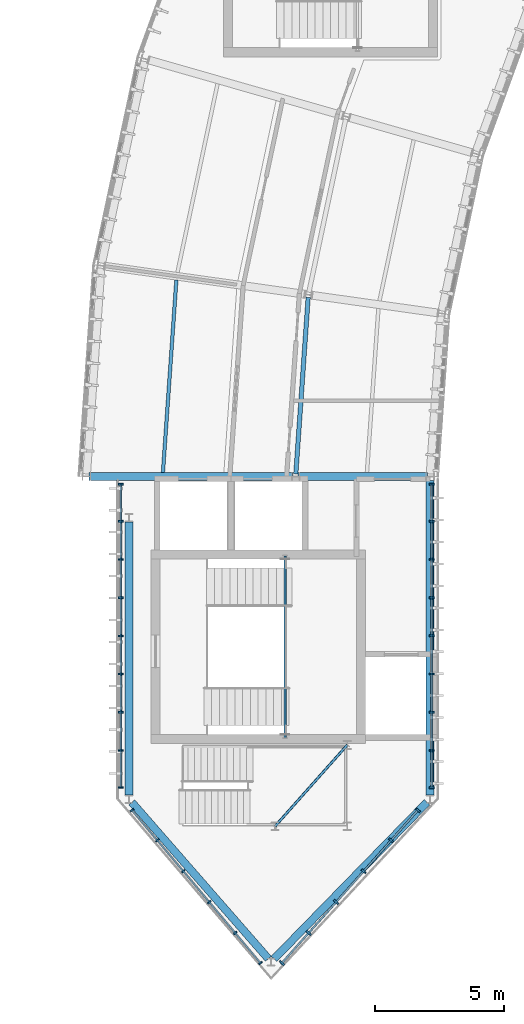
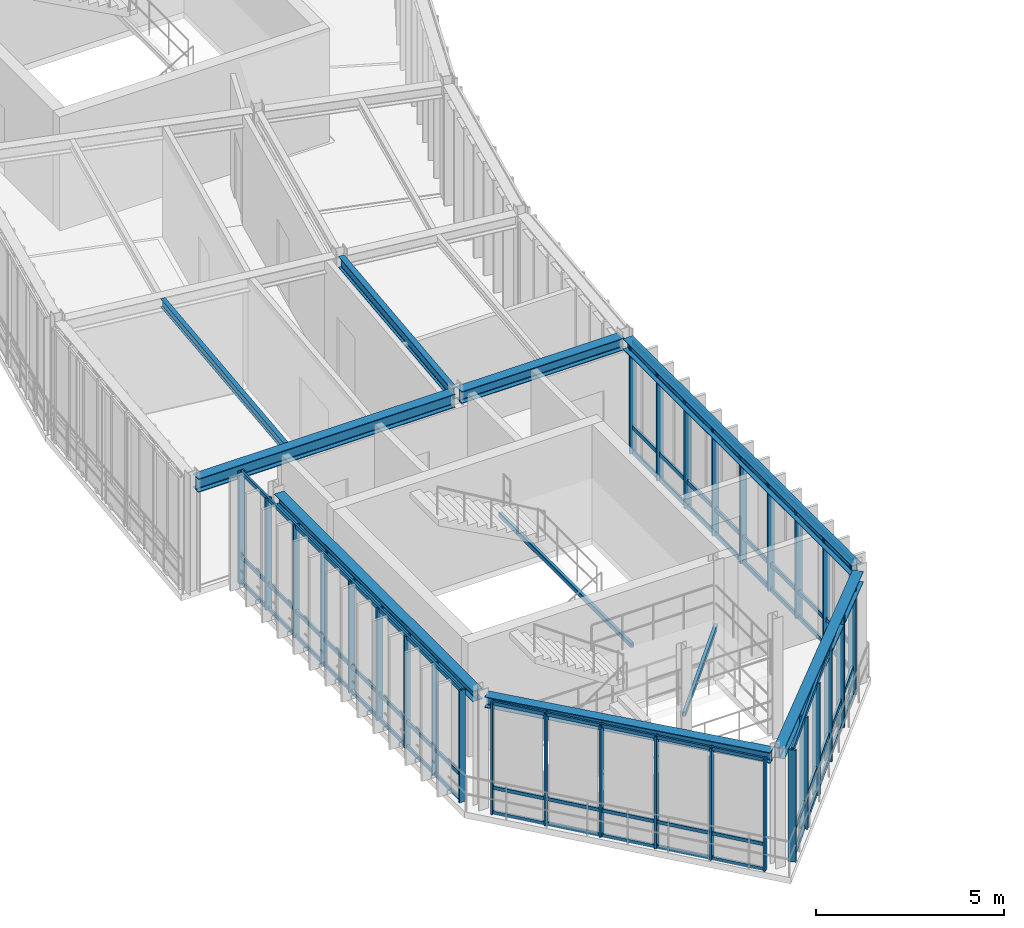
# One storey, part 8 of 42: 44 members, 8 beams, 4 elements without a shape of their own.
"""IFC4 building model written with IfcOpenShell, lengths in metres."""

from ifc_helpers import new_model, si_unit, direction, frame, origin, origin_2d, place, context, subcontext, project, spatial, rectangle, hollow_rectangle, i_section, extrude, material, layer, layer_set, material_profile, profile_set, type_object, element, aggregate, save


model = new_model("IFC4")

# Units and contexts
model_context = context("Model", 3, precision=1e-05, world=origin(), true_north=direction((0.0, 1.0)))
body_context = subcontext(model_context, "Body", "Model", "MODEL_VIEW")
ifc_project = project(units=[si_unit("LENGTHUNIT", "METRE"), si_unit("AREAUNIT", "SQUARE_METRE"), si_unit("VOLUMEUNIT", "CUBIC_METRE"), si_unit("PLANEANGLEUNIT", "RADIAN"), si_unit("MASSUNIT", "GRAM", prefix="KILO"), si_unit("THERMODYNAMICTEMPERATUREUNIT", "KELVIN"), si_unit("POWERUNIT", "WATT")], contexts=[model_context])

# Site, building, storey
site_placement = place(None, origin())
site = spatial("IfcSite", under=ifc_project, at=site_placement, CompositionType="ELEMENT")
building_placement = place(site_placement, origin())
building = spatial("IfcBuilding", under=site, at=building_placement, Name="Solvatero Civic Police Headquarters", CompositionType="ELEMENT")
storey_placement = place(building_placement, frame((0.0, 0.0, 21.60009765625)))
storey = spatial("IfcBuildingStorey", under=building, at=storey_placement, Name="L05", CompositionType="ELEMENT", Elevation=21.60009765625)

# Beams
ifc_material_1 = material(Name="Steel S355", Category="steel")
ifc_material_profile_1 = material_profile(ifc_material_1, i_section(OverallWidth=0.300048828125, OverallDepth=0.35009765625, WebThickness=0.010009765625, FlangeThickness=0.017578125, FilletRadius=0.027099609375, at=origin_2d()), Name="HEA 360")
ifc_profile_set_1 = profile_set([ifc_material_profile_1], Name="Steel S355")
beam_type_1 = type_object("IfcBeamType", Name="BM-ST-HEA360", PredefinedType="SPANDREL", material=ifc_profile_set_1)
beam_1_placement = place(storey_placement, frame((37.0, 24.239990234375, 3.52490234375), z_axis=(0.0, -1.0, 0.0), x_axis=(1.0, 0.0, 0.0)))
element("IfcBeam", 1, at=beam_1_placement, inside=storey, type_object=beam_type_1, Name="Perimeter / radial spandrel beam BM-R2-L05-PROW-W", PredefinedType="SPANDREL", context=body_context, shape_type="SweptSolid", body=[
    extrude(i_section(OverallWidth=0.300048828125, OverallDepth=0.35009765625, WebThickness=0.010009765625, FlangeThickness=0.017578125, FilletRadius=0.027099609375, at=origin_2d()), origin(), (0.0, 0.0, 1.0), 10.580078125),
])
beam_2_placement = place(storey_placement, frame((37.105224609375, 13.37939453125, 3.52490234375), z_axis=(0.657663937616, -0.753311452959, 0.0), x_axis=(0.753311452959, 0.657663937616, 0.0)))
element("IfcBeam", 2, at=beam_2_placement, inside=storey, type_object=beam_type_1, Name="Perimeter / radial spandrel beam BM-R2-L05-PROW-SW", PredefinedType="SPANDREL", context=body_context, shape_type="SweptSolid", body=[
    extrude(i_section(OverallWidth=0.300048828125, OverallDepth=0.35009765625, WebThickness=0.010009765625, FlangeThickness=0.017578125, FilletRadius=0.027099609375, at=origin_2d()), origin(), (0.0, 0.0, 1.0), 8.04296875),
])
beam_3_placement = place(storey_placement, frame((42.61181640625, 7.314453125, 3.52490234375), z_axis=(0.698523042205, 0.715587562433, 0.0), x_axis=(-0.715587562433, 0.698523042205, 0.0)))
element("IfcBeam", 3, at=beam_3_placement, inside=storey, type_object=beam_type_1, Name="Perimeter / radial spandrel beam BM-R2-L05-PROW-SE", PredefinedType="SPANDREL", context=body_context, shape_type="SweptSolid", body=[
    extrude(i_section(OverallWidth=0.300048828125, OverallDepth=0.35009765625, WebThickness=0.010009765625, FlangeThickness=0.017578125, FilletRadius=0.027099609375, at=origin_2d()), origin(), (0.0, 0.0, 1.0), 8.48388671875),
])
beam_4_placement = place(storey_placement, frame((48.64990234375, 13.659912109375, 3.52490234375), z_axis=(0.0, 1.0, 0.0), x_axis=(-1.0, 0.0, 0.0)))
element("IfcBeam", 4, at=beam_4_placement, inside=storey, type_object=beam_type_1, Name="Perimeter / radial spandrel beam BM-R2-L05-PROW-E", PredefinedType="SPANDREL", context=body_context, shape_type="SweptSolid", body=[
    extrude(i_section(OverallWidth=0.300048828125, OverallDepth=0.35009765625, WebThickness=0.010009765625, FlangeThickness=0.017578125, FilletRadius=0.027099609375, at=origin_2d()), origin(), (0.0, 0.0, 1.0), 12.18017578125),
])
ifc_material_profile_2 = material_profile(ifc_material_1, i_section(OverallWidth=0.300048828125, OverallDepth=0.389892578125, WebThickness=0.010986328125, FlangeThickness=0.01904296875, FilletRadius=0.027099609375, at=origin_2d()), Name="HEA 400")
ifc_profile_set_2 = profile_set([ifc_material_profile_2], Name="Steel S355")
beam_type_2 = type_object("IfcBeamType", Name="BM-ST-HEA400", PredefinedType="BEAM", material=ifc_profile_set_2)
beam_5_placement = place(storey_placement, frame((48.550048828125, 26.0, 3.5048828125), z_axis=(-1.0, 0.0, 0.0), x_axis=(0.0, -1.0, 0.0)))
element("IfcBeam", 5, at=beam_5_placement, inside=storey, type_object=beam_type_2, Name="Primary girder BM-R2-L05-ARC-RAD1-S12", PredefinedType="BEAM", context=body_context, shape_type="SweptSolid", body=[
    extrude(i_section(OverallWidth=0.300048828125, OverallDepth=0.389892578125, WebThickness=0.010986328125, FlangeThickness=0.01904296875, FilletRadius=0.027099609375, at=origin_2d()), origin(), (0.0, 0.0, 1.0), 5.0),
])
ifc_material_profile_3 = material_profile(ifc_material_1, i_section(OverallWidth=0.300048828125, OverallDepth=0.43994140625, WebThickness=0.011474609375, FlangeThickness=0.02099609375, FilletRadius=0.027099609375, at=origin_2d()), Name="HEA 450")
ifc_profile_set_3 = profile_set([ifc_material_profile_3], Name="Steel S355")
beam_type_3 = type_object("IfcBeamType", Name="BM-ST-HEA450", PredefinedType="BEAM", material=ifc_profile_set_3)
beam_6_placement = place(storey_placement, frame((43.35009765625, 26.0, 3.47998046875), z_axis=(-1.0, 0.0, 0.0), x_axis=(0.0, -1.0, 0.0)))
element("IfcBeam", 6, at=beam_6_placement, inside=storey, type_object=beam_type_3, Name="Primary girder BM-R2-L05-ARC-RAD2-S12", PredefinedType="BEAM", context=body_context, shape_type="SweptSolid", body=[
    extrude(i_section(OverallWidth=0.300048828125, OverallDepth=0.43994140625, WebThickness=0.011474609375, FlangeThickness=0.02099609375, FilletRadius=0.027099609375, at=origin_2d()), origin(), (0.0, 0.0, 1.0), 7.900146484375),
])
ifc_material_profile_4 = material_profile(ifc_material_1, i_section(OverallWidth=0.135009765625, OverallDepth=0.27001953125, WebThickness=0.006591796875, FlangeThickness=0.01025390625, FilletRadius=0.014892578125, at=origin_2d()), Name="IPE 270")
ifc_profile_set_4 = profile_set([ifc_material_profile_4], Name="Steel S355")
beam_type_4 = type_object("IfcBeamType", Name="BM-ST-IPE270", PredefinedType="BEAM", material=ifc_profile_set_4)
beam_7_placement = place(storey_placement, frame((38.83154296875, 33.602294921875, 3.56494140625), z_axis=(-0.069737421409, -0.997565382346, 0.0), x_axis=(0.997565382346, -0.069737421409, 0.0)))
element("IfcBeam", 7, at=beam_7_placement, inside=storey, type_object=beam_type_4, Name="Composite floor beam BM-R2-L05-ARC-CS2-B12", PredefinedType="BEAM", context=body_context, shape_type="SweptSolid", body=[
    extrude(i_section(OverallWidth=0.135009765625, OverallDepth=0.27001953125, WebThickness=0.006591796875, FlangeThickness=0.01025390625, FilletRadius=0.014892578125, at=origin_2d()), origin(), (0.0, 0.0, 1.0), 7.470947265625),
])
ifc_material_profile_5 = material_profile(ifc_material_1, i_section(OverallWidth=0.169921875, OverallDepth=0.360107421875, WebThickness=0.008056640625, FlangeThickness=0.0126953125, FilletRadius=0.01806640625, at=origin_2d()), Name="IPE 360")
ifc_profile_set_5 = profile_set([ifc_material_profile_5], Name="Steel S355")
beam_type_5 = type_object("IfcBeamType", Name="BM-ST-IPE360", PredefinedType="BEAM", material=ifc_profile_set_5)
beam_8_placement = place(storey_placement, frame((43.934814453125, 32.935302734375, 3.52001953125), z_axis=(-0.069727722696, -0.997566060313, 0.0), x_axis=(0.997566060313, -0.069727722696, 0.0)))
element("IfcBeam", 8, at=beam_8_placement, inside=storey, type_object=beam_type_5, Name="Composite floor beam BM-R2-L05-ARC-CMID-B12", PredefinedType="BEAM", context=body_context, shape_type="SweptSolid", body=[
    extrude(i_section(OverallWidth=0.169921875, OverallDepth=0.360107421875, WebThickness=0.008056640625, FlangeThickness=0.0126953125, FilletRadius=0.01806640625, at=origin_2d()), origin(), (0.0, 0.0, 1.0), 6.85205078125),
])

# Curtain wall, members
ifc_material_2 = material(Name="Anodized Bronze Aluminium", Category="aluminium")
ifc_layer = layer(ifc_material_2, 0.179931640625)
ifc_layer_set = layer_set([ifc_layer], Name="Anodized Bronze Aluminium")
curtain_wall_type = type_object("IfcCurtainWallType", Name="CW-PROW-GLZ", PredefinedType="USERDEFINED", material=ifc_layer_set)
curtain_wall_1_placement = place(storey_placement, origin())
curtain_wall_1 = element("IfcCurtainWall", 9, at=curtain_wall_1_placement, inside=storey, type_object=curtain_wall_type, Name="Curtain Wall CW-R2-L05-PROW-SW", ObjectType="UNITISED", PredefinedType="USERDEFINED")
ifc_material_profile_6 = material_profile(ifc_material_2, rectangle(XDim=0.06005859375, YDim=0.159912109375, at=origin_2d()), Name="ALU MULLION 60x160")
ifc_profile_set_6 = profile_set([ifc_material_profile_6], Name="Anodized Bronze Aluminium")
member_type_1 = type_object("IfcMemberType", Name="CWM-180x70", PredefinedType="MULLION", material=ifc_profile_set_6)
member_1_placement = place(storey_placement, frame((37.1142578125, 13.073486328125, 0.0), z_axis=(0.0, 0.0, 1.0), x_axis=(0.643282165541, -0.765629189293, 0.0)))
member_1 = element("IfcMember", 10, at=member_1_placement, type_object=member_type_1, Name="CW-R2-L05-PROW-SW Mullion 1", PredefinedType="MULLION", context=body_context, shape_type="SweptSolid", body=[
    extrude(rectangle(XDim=0.06005859375, YDim=0.159912109375, at=origin_2d()), origin(), (0.0, 0.0, 1.0), 3.639892578125),
])
member_2_placement = place(storey_placement, frame((38.09326171875, 11.908447265625, 0.0), z_axis=(0.0, 0.0, 1.0), x_axis=(0.643282165541, -0.765629189293, 0.0)))
member_2 = element("IfcMember", 11, at=member_2_placement, type_object=member_type_1, Name="CW-R2-L05-PROW-SW Mullion 2", PredefinedType="MULLION", context=body_context, shape_type="SweptSolid", body=[
    extrude(rectangle(XDim=0.06005859375, YDim=0.159912109375, at=origin_2d()), origin(), (0.0, 0.0, 1.0), 3.639892578125),
])
member_3_placement = place(storey_placement, frame((39.09765625, 10.712890625, 0.0), z_axis=(0.0, 0.0, 1.0), x_axis=(0.643282165541, -0.765629189293, 0.0)))
member_3 = element("IfcMember", 12, at=member_3_placement, type_object=member_type_1, Name="CW-R2-L05-PROW-SW Mullion 3", PredefinedType="MULLION", context=body_context, shape_type="SweptSolid", body=[
    extrude(rectangle(XDim=0.06005859375, YDim=0.159912109375, at=origin_2d()), origin(), (0.0, 0.0, 1.0), 3.639892578125),
])
member_4_placement = place(storey_placement, frame((40.102294921875, 9.51708984375, 0.0), z_axis=(0.0, 0.0, 1.0), x_axis=(0.643282165541, -0.765629189293, 0.0)))
member_4 = element("IfcMember", 13, at=member_4_placement, type_object=member_type_1, Name="CW-R2-L05-PROW-SW Mullion 4", PredefinedType="MULLION", context=body_context, shape_type="SweptSolid", body=[
    extrude(rectangle(XDim=0.06005859375, YDim=0.159912109375, at=origin_2d()), origin(), (0.0, 0.0, 1.0), 3.639892578125),
])
member_5_placement = place(storey_placement, frame((41.10693359375, 8.321533203125, 0.0), z_axis=(0.0, 0.0, 1.0), x_axis=(0.643282165541, -0.765629189293, 0.0)))
member_5 = element("IfcMember", 14, at=member_5_placement, type_object=member_type_1, Name="CW-R2-L05-PROW-SW Mullion 5", PredefinedType="MULLION", context=body_context, shape_type="SweptSolid", body=[
    extrude(rectangle(XDim=0.06005859375, YDim=0.159912109375, at=origin_2d()), origin(), (0.0, 0.0, 1.0), 3.639892578125),
])
member_6_placement = place(storey_placement, frame((42.085693359375, 7.156494140625, 0.0), z_axis=(0.0, 0.0, 1.0), x_axis=(0.643282165541, -0.765629189293, 0.0)))
member_6 = element("IfcMember", 15, at=member_6_placement, type_object=member_type_1, Name="CW-R2-L05-PROW-SW Mullion 6", PredefinedType="MULLION", context=body_context, shape_type="SweptSolid", body=[
    extrude(rectangle(XDim=0.06005859375, YDim=0.159912109375, at=origin_2d()), origin(), (0.0, 0.0, 1.0), 3.639892578125),
])

curtain_wall_2_placement = place(storey_placement, origin())
curtain_wall_2 = element("IfcCurtainWall", 16, at=curtain_wall_2_placement, inside=storey, type_object=curtain_wall_type, Name="Curtain Wall CW-R2-L05-PROW-W", ObjectType="UNITISED", PredefinedType="USERDEFINED")
ifc_material_profile_7 = material_profile(ifc_material_2, rectangle(XDim=0.06494140625, YDim=0.179931640625, at=origin_2d()), Name="ALU MULLION 65x180")
ifc_profile_set_7 = profile_set([ifc_material_profile_7], Name="Anodized Bronze Aluminium")
member_type_2 = type_object("IfcMemberType", Name="CWM-200x75", PredefinedType="MULLION", material=ifc_profile_set_7)
member_7_placement = place(storey_placement, frame((36.679931640625, 25.699951171875, 0.0), z_axis=(0.0, 0.0, 1.0), x_axis=(0.0, -1.0, 0.0)))
member_7 = element("IfcMember", 17, at=member_7_placement, type_object=member_type_2, Name="CW-R2-L05-PROW-W Mullion 1", PredefinedType="MULLION", context=body_context, shape_type="SweptSolid", body=[
    extrude(rectangle(XDim=0.06494140625, YDim=0.179931640625, at=origin_2d()), origin(), (0.0, 0.0, 1.0), 3.639892578125),
])
member_8_placement = place(storey_placement, frame((36.679931640625, 24.26123046875, 0.0), z_axis=(0.0, 0.0, 1.0), x_axis=(0.0, -1.0, 0.0)))
member_8 = element("IfcMember", 18, at=member_8_placement, type_object=member_type_2, Name="CW-R2-L05-PROW-W Mullion 2", PredefinedType="MULLION", context=body_context, shape_type="SweptSolid", body=[
    extrude(rectangle(XDim=0.06494140625, YDim=0.179931640625, at=origin_2d()), origin(), (0.0, 0.0, 1.0), 3.639892578125),
])
member_9_placement = place(storey_placement, frame((36.679931640625, 22.782470703125, 0.0), z_axis=(0.0, 0.0, 1.0), x_axis=(0.0, -1.0, 0.0)))
member_9 = element("IfcMember", 19, at=member_9_placement, type_object=member_type_2, Name="CW-R2-L05-PROW-W Mullion 3", PredefinedType="MULLION", context=body_context, shape_type="SweptSolid", body=[
    extrude(rectangle(XDim=0.06494140625, YDim=0.179931640625, at=origin_2d()), origin(), (0.0, 0.0, 1.0), 3.639892578125),
])
member_10_placement = place(storey_placement, frame((36.679931640625, 21.3037109375, 0.0), z_axis=(0.0, 0.0, 1.0), x_axis=(0.0, -1.0, 0.0)))
member_10 = element("IfcMember", 20, at=member_10_placement, type_object=member_type_2, Name="CW-R2-L05-PROW-W Mullion 4", PredefinedType="MULLION", context=body_context, shape_type="SweptSolid", body=[
    extrude(rectangle(XDim=0.06494140625, YDim=0.179931640625, at=origin_2d()), origin(), (0.0, 0.0, 1.0), 3.639892578125),
])
member_11_placement = place(storey_placement, frame((36.679931640625, 19.824951171875, 0.0), z_axis=(0.0, 0.0, 1.0), x_axis=(0.0, -1.0, 0.0)))
member_11 = element("IfcMember", 21, at=member_11_placement, type_object=member_type_2, Name="CW-R2-L05-PROW-W Mullion 5", PredefinedType="MULLION", context=body_context, shape_type="SweptSolid", body=[
    extrude(rectangle(XDim=0.06494140625, YDim=0.179931640625, at=origin_2d()), origin(), (0.0, 0.0, 1.0), 3.639892578125),
])
member_12_placement = place(storey_placement, frame((36.679931640625, 18.34619140625, 0.0), z_axis=(0.0, 0.0, 1.0), x_axis=(0.0, -1.0, 0.0)))
member_12 = element("IfcMember", 22, at=member_12_placement, type_object=member_type_2, Name="CW-R2-L05-PROW-W Mullion 6", PredefinedType="MULLION", context=body_context, shape_type="SweptSolid", body=[
    extrude(rectangle(XDim=0.06494140625, YDim=0.179931640625, at=origin_2d()), origin(), (0.0, 0.0, 1.0), 3.639892578125),
])
member_13_placement = place(storey_placement, frame((36.679931640625, 16.867431640625, 0.0), z_axis=(0.0, 0.0, 1.0), x_axis=(0.0, -1.0, 0.0)))
member_13 = element("IfcMember", 23, at=member_13_placement, type_object=member_type_2, Name="CW-R2-L05-PROW-W Mullion 7", PredefinedType="MULLION", context=body_context, shape_type="SweptSolid", body=[
    extrude(rectangle(XDim=0.06494140625, YDim=0.179931640625, at=origin_2d()), origin(), (0.0, 0.0, 1.0), 3.639892578125),
])
member_14_placement = place(storey_placement, frame((36.679931640625, 15.388671875, 0.0), z_axis=(0.0, 0.0, 1.0), x_axis=(0.0, -1.0, 0.0)))
member_14 = element("IfcMember", 24, at=member_14_placement, type_object=member_type_2, Name="CW-R2-L05-PROW-W Mullion 8", PredefinedType="MULLION", context=body_context, shape_type="SweptSolid", body=[
    extrude(rectangle(XDim=0.06494140625, YDim=0.179931640625, at=origin_2d()), origin(), (0.0, 0.0, 1.0), 3.639892578125),
])
member_15_placement = place(storey_placement, frame((36.679931640625, 13.949951171875, 0.0), z_axis=(0.0, 0.0, 1.0), x_axis=(0.0, -1.0, 0.0)))
member_15 = element("IfcMember", 25, at=member_15_placement, type_object=member_type_2, Name="CW-R2-L05-PROW-W Mullion 9", PredefinedType="MULLION", context=body_context, shape_type="SweptSolid", body=[
    extrude(rectangle(XDim=0.06494140625, YDim=0.179931640625, at=origin_2d()), origin(), (0.0, 0.0, 1.0), 3.639892578125),
])

curtain_wall_3_placement = place(storey_placement, origin())
curtain_wall_3 = element("IfcCurtainWall", 26, at=curtain_wall_3_placement, inside=storey, type_object=curtain_wall_type, Name="Curtain Wall CW-R2-L05-PROW-E", ObjectType="UNITISED", PredefinedType="USERDEFINED")
ifc_material_profile_8 = material_profile(ifc_material_2, rectangle(XDim=0.070068359375, YDim=0.199951171875, at=origin_2d()), Name="ALU MULLION 70x200")
ifc_profile_set_8 = profile_set([ifc_material_profile_8], Name="Anodized Bronze Aluminium")
member_type_3 = type_object("IfcMemberType", Name="CWM-220x80", PredefinedType="MULLION", material=ifc_profile_set_8)
member_16_placement = place(storey_placement, frame((48.719970703125, 13.949951171875, 0.0), z_axis=(0.0, 0.0, 1.0), x_axis=(0.0, 1.0, 0.0)))
member_16 = element("IfcMember", 27, at=member_16_placement, type_object=member_type_3, Name="CW-R2-L05-PROW-E Mullion 1", PredefinedType="MULLION", context=body_context, shape_type="SweptSolid", body=[
    extrude(rectangle(XDim=0.070068359375, YDim=0.199951171875, at=origin_2d()), origin(), (0.0, 0.0, 1.0), 3.639892578125),
])
member_17_placement = place(storey_placement, frame((48.719970703125, 15.388671875, 0.0), z_axis=(0.0, 0.0, 1.0), x_axis=(0.0, 1.0, 0.0)))
member_17 = element("IfcMember", 28, at=member_17_placement, type_object=member_type_3, Name="CW-R2-L05-PROW-E Mullion 2", PredefinedType="MULLION", context=body_context, shape_type="SweptSolid", body=[
    extrude(rectangle(XDim=0.070068359375, YDim=0.199951171875, at=origin_2d()), origin(), (0.0, 0.0, 1.0), 3.639892578125),
])
member_18_placement = place(storey_placement, frame((48.719970703125, 16.867431640625, 0.0), z_axis=(0.0, 0.0, 1.0), x_axis=(0.0, 1.0, 0.0)))
member_18 = element("IfcMember", 29, at=member_18_placement, type_object=member_type_3, Name="CW-R2-L05-PROW-E Mullion 3", PredefinedType="MULLION", context=body_context, shape_type="SweptSolid", body=[
    extrude(rectangle(XDim=0.070068359375, YDim=0.199951171875, at=origin_2d()), origin(), (0.0, 0.0, 1.0), 3.639892578125),
])
member_19_placement = place(storey_placement, frame((48.719970703125, 18.34619140625, 0.0), z_axis=(0.0, 0.0, 1.0), x_axis=(0.0, 1.0, 0.0)))
member_19 = element("IfcMember", 30, at=member_19_placement, type_object=member_type_3, Name="CW-R2-L05-PROW-E Mullion 4", PredefinedType="MULLION", context=body_context, shape_type="SweptSolid", body=[
    extrude(rectangle(XDim=0.070068359375, YDim=0.199951171875, at=origin_2d()), origin(), (0.0, 0.0, 1.0), 3.639892578125),
])
member_20_placement = place(storey_placement, frame((48.719970703125, 19.824951171875, 0.0), z_axis=(0.0, 0.0, 1.0), x_axis=(0.0, 1.0, 0.0)))
member_20 = element("IfcMember", 31, at=member_20_placement, type_object=member_type_3, Name="CW-R2-L05-PROW-E Mullion 5", PredefinedType="MULLION", context=body_context, shape_type="SweptSolid", body=[
    extrude(rectangle(XDim=0.070068359375, YDim=0.199951171875, at=origin_2d()), origin(), (0.0, 0.0, 1.0), 3.639892578125),
])
member_21_placement = place(storey_placement, frame((48.719970703125, 21.3037109375, 0.0), z_axis=(0.0, 0.0, 1.0), x_axis=(0.0, 1.0, 0.0)))
member_21 = element("IfcMember", 32, at=member_21_placement, type_object=member_type_3, Name="CW-R2-L05-PROW-E Mullion 6", PredefinedType="MULLION", context=body_context, shape_type="SweptSolid", body=[
    extrude(rectangle(XDim=0.070068359375, YDim=0.199951171875, at=origin_2d()), origin(), (0.0, 0.0, 1.0), 3.639892578125),
])
member_22_placement = place(storey_placement, frame((48.719970703125, 22.782470703125, 0.0), z_axis=(0.0, 0.0, 1.0), x_axis=(0.0, 1.0, 0.0)))
member_22 = element("IfcMember", 33, at=member_22_placement, type_object=member_type_3, Name="CW-R2-L05-PROW-E Mullion 7", PredefinedType="MULLION", context=body_context, shape_type="SweptSolid", body=[
    extrude(rectangle(XDim=0.070068359375, YDim=0.199951171875, at=origin_2d()), origin(), (0.0, 0.0, 1.0), 3.639892578125),
])
member_23_placement = place(storey_placement, frame((48.719970703125, 24.26123046875, 0.0), z_axis=(0.0, 0.0, 1.0), x_axis=(0.0, 1.0, 0.0)))
member_23 = element("IfcMember", 34, at=member_23_placement, type_object=member_type_3, Name="CW-R2-L05-PROW-E Mullion 8", PredefinedType="MULLION", context=body_context, shape_type="SweptSolid", body=[
    extrude(rectangle(XDim=0.070068359375, YDim=0.199951171875, at=origin_2d()), origin(), (0.0, 0.0, 1.0), 3.639892578125),
])
member_24_placement = place(storey_placement, frame((48.719970703125, 25.699951171875, 0.0), z_axis=(0.0, 0.0, 1.0), x_axis=(0.0, 1.0, 0.0)))
member_24 = element("IfcMember", 35, at=member_24_placement, type_object=member_type_3, Name="CW-R2-L05-PROW-E Mullion 9", PredefinedType="MULLION", context=body_context, shape_type="SweptSolid", body=[
    extrude(rectangle(XDim=0.070068359375, YDim=0.199951171875, at=origin_2d()), origin(), (0.0, 0.0, 1.0), 3.639892578125),
])

curtain_wall_4_placement = place(storey_placement, origin())
curtain_wall_4 = element("IfcCurtainWall", 36, at=curtain_wall_4_placement, inside=storey, type_object=curtain_wall_type, Name="Curtain Wall CW-R2-L05-PROW-SE", ObjectType="UNITISED", PredefinedType="USERDEFINED")
ifc_material_profile_9 = material_profile(ifc_material_2, rectangle(XDim=0.074951171875, YDim=0.219970703125, at=origin_2d()), Name="ALU MULLION 75x220")
ifc_profile_set_9 = profile_set([ifc_material_profile_9], Name="Anodized Bronze Aluminium")
member_type_4 = type_object("IfcMemberType", Name="CWM-250x85", PredefinedType="MULLION", material=ifc_profile_set_9)
member_25_placement = place(storey_placement, frame((42.91650390625, 7.15478515625, 0.0), z_axis=(0.0, 0.0, 1.0), x_axis=(0.664656781592, 0.747148822313, 0.0)))
member_25 = element("IfcMember", 37, at=member_25_placement, type_object=member_type_4, Name="CW-R2-L05-PROW-SE Mullion 1", PredefinedType="MULLION", context=body_context, shape_type="SweptSolid", body=[
    extrude(rectangle(XDim=0.074951171875, YDim=0.219970703125, at=origin_2d()), origin(), (0.0, 0.0, 1.0), 3.639892578125),
])
member_26_placement = place(storey_placement, frame((43.9541015625, 8.32080078125, 0.0), z_axis=(0.0, 0.0, 1.0), x_axis=(0.664656781592, 0.747148822313, 0.0)))
member_26 = element("IfcMember", 38, at=member_26_placement, type_object=member_type_4, Name="CW-R2-L05-PROW-SE Mullion 2", PredefinedType="MULLION", context=body_context, shape_type="SweptSolid", body=[
    extrude(rectangle(XDim=0.074951171875, YDim=0.219970703125, at=origin_2d()), origin(), (0.0, 0.0, 1.0), 3.639892578125),
])
member_27_placement = place(storey_placement, frame((45.01806640625, 9.516845703125, 0.0), z_axis=(0.0, 0.0, 1.0), x_axis=(0.664656781592, 0.747148822313, 0.0)))
member_27 = element("IfcMember", 39, at=member_27_placement, type_object=member_type_4, Name="CW-R2-L05-PROW-SE Mullion 3", PredefinedType="MULLION", context=body_context, shape_type="SweptSolid", body=[
    extrude(rectangle(XDim=0.074951171875, YDim=0.219970703125, at=origin_2d()), origin(), (0.0, 0.0, 1.0), 3.639892578125),
])
member_28_placement = place(storey_placement, frame((46.08203125, 10.712890625, 0.0), z_axis=(0.0, 0.0, 1.0), x_axis=(0.664656781592, 0.747148822313, 0.0)))
member_28 = element("IfcMember", 40, at=member_28_placement, type_object=member_type_4, Name="CW-R2-L05-PROW-SE Mullion 4", PredefinedType="MULLION", context=body_context, shape_type="SweptSolid", body=[
    extrude(rectangle(XDim=0.074951171875, YDim=0.219970703125, at=origin_2d()), origin(), (0.0, 0.0, 1.0), 3.639892578125),
])
member_29_placement = place(storey_placement, frame((47.14599609375, 11.9091796875, 0.0), z_axis=(0.0, 0.0, 1.0), x_axis=(0.664656781592, 0.747148822313, 0.0)))
member_29 = element("IfcMember", 41, at=member_29_placement, type_object=member_type_4, Name="CW-R2-L05-PROW-SE Mullion 5", PredefinedType="MULLION", context=body_context, shape_type="SweptSolid", body=[
    extrude(rectangle(XDim=0.074951171875, YDim=0.219970703125, at=origin_2d()), origin(), (0.0, 0.0, 1.0), 3.639892578125),
])
member_30_placement = place(storey_placement, frame((48.18359375, 13.0751953125, 0.0), z_axis=(0.0, 0.0, 1.0), x_axis=(0.664656781592, 0.747148822313, 0.0)))
member_30 = element("IfcMember", 42, at=member_30_placement, type_object=member_type_4, Name="CW-R2-L05-PROW-SE Mullion 6", PredefinedType="MULLION", context=body_context, shape_type="SweptSolid", body=[
    extrude(rectangle(XDim=0.074951171875, YDim=0.219970703125, at=origin_2d()), origin(), (0.0, 0.0, 1.0), 3.639892578125),
])
ifc_material_profile_10 = material_profile(ifc_material_2, rectangle(XDim=0.070068359375, YDim=0.159912109375, at=origin_2d()), Name="ALU TRANSOM 70x160")
ifc_profile_set_10 = profile_set([ifc_material_profile_10], Name="Anodized Bronze Aluminium")
member_type_5 = type_object("IfcMemberType", Name="CWT-120x55", PredefinedType="USERDEFINED", material=ifc_profile_set_10)
member_31_placement = place(storey_placement, frame((42.923095703125, 7.162109375, 0.039794921875), z_axis=(0.664670514565, 0.747136605359, 0.0), x_axis=(-0.747136605359, 0.664670514565, 0.0)))
member_31 = element("IfcMember", 43, at=member_31_placement, type_object=member_type_5, Name="CW-R2-L05-PROW-SE Transom 1", ObjectType="TRANSOM", PredefinedType="USERDEFINED", context=body_context, shape_type="SweptSolid", body=[
    extrude(rectangle(XDim=0.070068359375, YDim=0.159912109375, at=origin_2d()), origin(), (0.0, 0.0, 1.0), 7.904541015625),
])
member_32_placement = place(storey_placement, frame((42.923095703125, 7.162109375, 0.849853515625), z_axis=(0.664670514565, 0.747136605359, 0.0), x_axis=(-0.747136605359, 0.664670514565, 0.0)))
member_32 = element("IfcMember", 44, at=member_32_placement, type_object=member_type_5, Name="CW-R2-L05-PROW-SE Transom 2", ObjectType="TRANSOM", PredefinedType="USERDEFINED", context=body_context, shape_type="SweptSolid", body=[
    extrude(rectangle(XDim=0.070068359375, YDim=0.159912109375, at=origin_2d()), origin(), (0.0, 0.0, 1.0), 7.904541015625),
])
member_33_placement = place(storey_placement, frame((42.923095703125, 7.162109375, 3.599853515625), z_axis=(0.664670514565, 0.747136605359, 0.0), x_axis=(-0.747136605359, 0.664670514565, 0.0)))
member_33 = element("IfcMember", 45, at=member_33_placement, type_object=member_type_5, Name="CW-R2-L05-PROW-SE Transom 3", ObjectType="TRANSOM", PredefinedType="USERDEFINED", context=body_context, shape_type="SweptSolid", body=[
    extrude(rectangle(XDim=0.070068359375, YDim=0.159912109375, at=origin_2d()), origin(), (0.0, 0.0, 1.0), 7.904541015625),
])
aggregate(curtain_wall_4, [member_25, member_26, member_27, member_28, member_29, member_30, member_31, member_32, member_33])

# Member
ifc_material_profile_11 = material_profile(ifc_material_2, rectangle(XDim=0.06005859375, YDim=0.110107421875, at=origin_2d()), Name="ALU TRANSOM 60x110")
ifc_profile_set_11 = profile_set([ifc_material_profile_11], Name="Anodized Bronze Aluminium")
member_type_6 = type_object("IfcMemberType", Name="CWT-140x60", PredefinedType="USERDEFINED", material=ifc_profile_set_11)
member_34_placement = place(storey_placement, frame((37.120849609375, 13.06591796875, 0.039794921875), z_axis=(0.643260422909, -0.76564745694, 0.0), x_axis=(0.76564745694, 0.643260422909, 0.0)))
member_34 = element("IfcMember", 46, at=member_34_placement, type_object=member_type_6, Name="CW-R2-L05-PROW-SW Transom 1", ObjectType="TRANSOM", PredefinedType="USERDEFINED", context=body_context, shape_type="SweptSolid", body=[
    extrude(rectangle(XDim=0.06005859375, YDim=0.110107421875, at=origin_2d()), origin(), (0.0, 0.0, 1.0), 7.7080078125),
])

member_35_placement = place(storey_placement, frame((37.120849609375, 13.06591796875, 0.849853515625), z_axis=(0.643260422909, -0.76564745694, 0.0), x_axis=(0.76564745694, 0.643260422909, 0.0)))
member_35 = element("IfcMember", 47, at=member_35_placement, type_object=member_type_6, Name="CW-R2-L05-PROW-SW Transom 2", ObjectType="TRANSOM", PredefinedType="USERDEFINED", context=body_context, shape_type="SweptSolid", body=[
    extrude(rectangle(XDim=0.06005859375, YDim=0.110107421875, at=origin_2d()), origin(), (0.0, 0.0, 1.0), 7.7080078125),
])

member_36_placement = place(storey_placement, frame((37.120849609375, 13.06591796875, 3.599853515625), z_axis=(0.643260422909, -0.76564745694, 0.0), x_axis=(0.76564745694, 0.643260422909, 0.0)))
member_36 = element("IfcMember", 48, at=member_36_placement, type_object=member_type_6, Name="CW-R2-L05-PROW-SW Transom 3", ObjectType="TRANSOM", PredefinedType="USERDEFINED", context=body_context, shape_type="SweptSolid", body=[
    extrude(rectangle(XDim=0.06005859375, YDim=0.110107421875, at=origin_2d()), origin(), (0.0, 0.0, 1.0), 7.7080078125),
])

aggregate(curtain_wall_1, [member_1, member_2, member_3, member_4, member_5, member_6, member_34, member_35, member_36])

ifc_material_profile_12 = material_profile(ifc_material_2, rectangle(XDim=0.06005859375, YDim=0.125, at=origin_2d()), Name="ALU TRANSOM 60x125")
ifc_profile_set_12 = profile_set([ifc_material_profile_12], Name="Anodized Bronze Aluminium")
member_type_7 = type_object("IfcMemberType", Name="CWT-160x65", PredefinedType="USERDEFINED", material=ifc_profile_set_12)
member_37_placement = place(storey_placement, frame((36.679931640625, 25.68994140625, 0.039794921875), z_axis=(0.0, -1.0, 0.0), x_axis=(1.0, 0.0, 0.0)))
member_37 = element("IfcMember", 49, at=member_37_placement, type_object=member_type_7, Name="CW-R2-L05-PROW-W Transom 1", ObjectType="TRANSOM", PredefinedType="USERDEFINED", context=body_context, shape_type="SweptSolid", body=[
    extrude(rectangle(XDim=0.06005859375, YDim=0.125, at=origin_2d()), origin(), (0.0, 0.0, 1.0), 11.72998046875),
])

member_38_placement = place(storey_placement, frame((36.679931640625, 25.68994140625, 0.849853515625), z_axis=(0.0, -1.0, 0.0), x_axis=(1.0, 0.0, 0.0)))
member_38 = element("IfcMember", 50, at=member_38_placement, type_object=member_type_7, Name="CW-R2-L05-PROW-W Transom 2", ObjectType="TRANSOM", PredefinedType="USERDEFINED", context=body_context, shape_type="SweptSolid", body=[
    extrude(rectangle(XDim=0.06005859375, YDim=0.125, at=origin_2d()), origin(), (0.0, 0.0, 1.0), 11.72998046875),
])

member_39_placement = place(storey_placement, frame((36.679931640625, 25.68994140625, 3.599853515625), z_axis=(0.0, -1.0, 0.0), x_axis=(1.0, 0.0, 0.0)))
member_39 = element("IfcMember", 51, at=member_39_placement, type_object=member_type_7, Name="CW-R2-L05-PROW-W Transom 3", ObjectType="TRANSOM", PredefinedType="USERDEFINED", context=body_context, shape_type="SweptSolid", body=[
    extrude(rectangle(XDim=0.06005859375, YDim=0.125, at=origin_2d()), origin(), (0.0, 0.0, 1.0), 11.72998046875),
])

aggregate(curtain_wall_2, [member_7, member_8, member_9, member_10, member_11, member_12, member_13, member_14, member_15, member_37, member_38, member_39])

ifc_material_profile_13 = material_profile(ifc_material_2, rectangle(XDim=0.06494140625, YDim=0.139892578125, at=origin_2d()), Name="ALU TRANSOM 65x140")
ifc_profile_set_13 = profile_set([ifc_material_profile_13], Name="Anodized Bronze Aluminium")
member_type_8 = type_object("IfcMemberType", Name="CWT-180x70", PredefinedType="USERDEFINED", material=ifc_profile_set_13)
member_40_placement = place(storey_placement, frame((48.719970703125, 13.9599609375, 0.039794921875), z_axis=(0.0, 1.0, 0.0), x_axis=(-1.0, 0.0, 0.0)))
member_40 = element("IfcMember", 52, at=member_40_placement, type_object=member_type_8, Name="CW-R2-L05-PROW-E Transom 1", ObjectType="TRANSOM", PredefinedType="USERDEFINED", context=body_context, shape_type="SweptSolid", body=[
    extrude(rectangle(XDim=0.06494140625, YDim=0.139892578125, at=origin_2d()), origin(), (0.0, 0.0, 1.0), 11.72998046875),
])

member_41_placement = place(storey_placement, frame((48.719970703125, 13.9599609375, 0.849853515625), z_axis=(0.0, 1.0, 0.0), x_axis=(-1.0, 0.0, 0.0)))
member_41 = element("IfcMember", 53, at=member_41_placement, type_object=member_type_8, Name="CW-R2-L05-PROW-E Transom 2", ObjectType="TRANSOM", PredefinedType="USERDEFINED", context=body_context, shape_type="SweptSolid", body=[
    extrude(rectangle(XDim=0.06494140625, YDim=0.139892578125, at=origin_2d()), origin(), (0.0, 0.0, 1.0), 11.72998046875),
])

member_42_placement = place(storey_placement, frame((48.719970703125, 13.9599609375, 3.599853515625), z_axis=(0.0, 1.0, 0.0), x_axis=(-1.0, 0.0, 0.0)))
member_42 = element("IfcMember", 54, at=member_42_placement, type_object=member_type_8, Name="CW-R2-L05-PROW-E Transom 3", ObjectType="TRANSOM", PredefinedType="USERDEFINED", context=body_context, shape_type="SweptSolid", body=[
    extrude(rectangle(XDim=0.06494140625, YDim=0.139892578125, at=origin_2d()), origin(), (0.0, 0.0, 1.0), 11.72998046875),
])

aggregate(curtain_wall_3, [member_16, member_17, member_18, member_19, member_20, member_21, member_22, member_23, member_24, member_40, member_41, member_42])

# Members
ifc_material_profile_14 = material_profile(ifc_material_1, hollow_rectangle(XDim=0.10009765625, YDim=0.14990234375, WallThickness=0.00634765625, InnerFilletRadius=0.00634765625, OuterFilletRadius=0.0126953125, at=origin_2d()), Name="RHS 150x100x6.3")
ifc_profile_set_14 = profile_set([ifc_material_profile_14], Name="Steel S355")
member_type_9 = type_object("IfcMemberType", Name="MB-BR-RHS150", PredefinedType="BRACE", material=ifc_profile_set_14)
member_43_placement = place(storey_placement, frame((43.0400390625, 15.8798828125, 1.6748046875), z_axis=(0.0, 1.0, 0.0), x_axis=(-1.0, 0.0, 0.0)))
element("IfcMember", 55, at=member_43_placement, inside=storey, type_object=member_type_9, Name="ST-C1 L05 Landing Support Beam", PredefinedType="BRACE", context=body_context, shape_type="SweptSolid", body=[
    extrude(hollow_rectangle(XDim=0.10009765625, YDim=0.14990234375, WallThickness=0.00634765625, InnerFilletRadius=0.00634765625, OuterFilletRadius=0.0126953125, at=origin_2d()), origin(), (0.0, 0.0, 1.0), 7.0400390625),
])
member_44_placement = place(storey_placement, frame((42.64990234375, 12.449951171875, 1.659912109375), z_axis=(0.664353052544, 0.747418906354, 0.0), x_axis=(-0.747418906354, 0.664353052544, 0.0)))
element("IfcMember", 56, at=member_44_placement, inside=storey, type_object=member_type_9, Name="ST-PRW L05 Landing Beam", PredefinedType="BRACE", context=body_context, shape_type="SweptSolid", body=[
    extrude(hollow_rectangle(XDim=0.10009765625, YDim=0.14990234375, WallThickness=0.00634765625, InnerFilletRadius=0.00634765625, OuterFilletRadius=0.0126953125, at=origin_2d()), origin(), (0.0, 0.0, 1.0), 4.214599609375),
])

save(model, "model.ifc")
